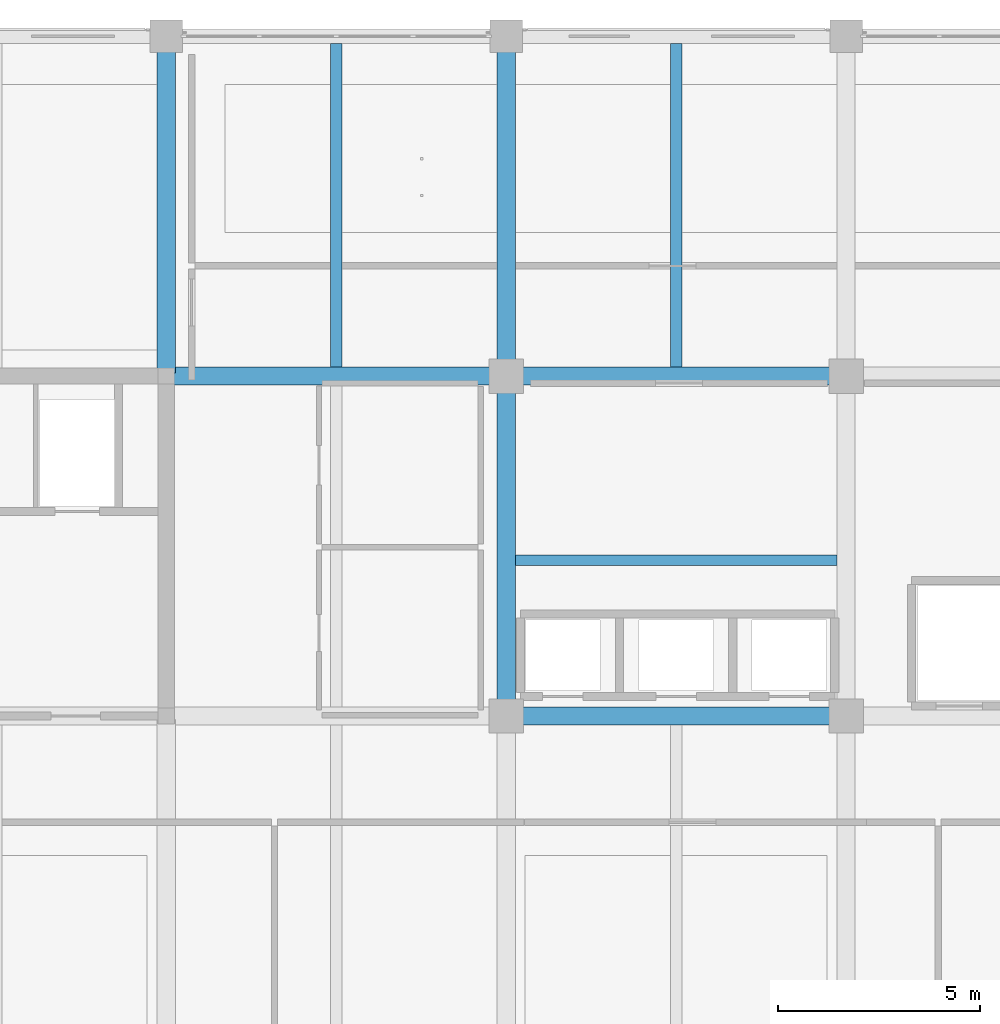
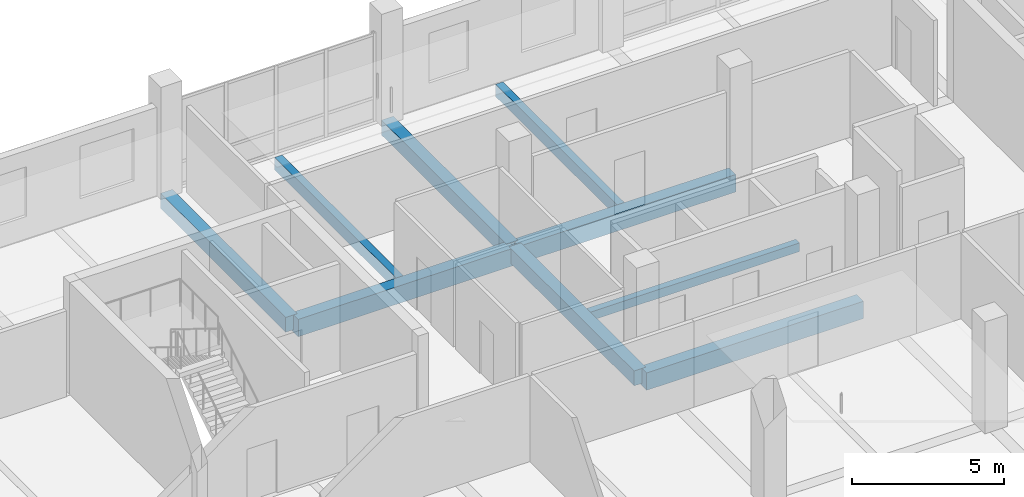
# One storey, part 5 of 36: 9 beams.
"""IFC4 building model written with IfcOpenShell, lengths in metres."""

from ifc_helpers import new_model, si_unit, direction, frame, origin, origin_2d, place, context, subcontext, project, spatial, rectangle, extrude, material, material_profile, profile_set, type_object, element, save


model = new_model("IFC4")

# Units and contexts
model_context = context("Model", 3, precision=1e-05, world=origin(), true_north=direction((0.0, 1.0)))
body_context = subcontext(model_context, "Body", "Model", "MODEL_VIEW")
ifc_project = project(units=[si_unit("LENGTHUNIT", "METRE"), si_unit("AREAUNIT", "SQUARE_METRE"), si_unit("VOLUMEUNIT", "CUBIC_METRE"), si_unit("PLANEANGLEUNIT", "RADIAN"), si_unit("MASSUNIT", "GRAM", prefix="KILO")], contexts=[model_context])

# Site, building, storey
site_placement = place(None, origin())
site = spatial("IfcSite", under=ifc_project, at=site_placement, CompositionType="ELEMENT")
building_placement = place(site_placement, origin())
building = spatial("IfcBuilding", under=site, at=building_placement, Name="Telukmera Botanical Conservatory", CompositionType="ELEMENT")
storey_placement = place(building_placement, frame((0.0, 0.0, 33.0)))
storey = spatial("IfcBuildingStorey", under=building, at=storey_placement, Name="L07", CompositionType="ELEMENT", Elevation=33.0)

# Beams
ifc_material_1 = material(Name="Concrete C40/50", Category="concrete")
ifc_material_profile_1 = material_profile(ifc_material_1, rectangle(XDim=0.449951171875, YDim=0.699951171875, at=origin_2d()), Name="RC 450x700")
ifc_profile_set_1 = profile_set([ifc_material_profile_1], Name="Concrete C40/50")
beam_type_1 = type_object("IfcBeamType", Name="Beam_B15", PredefinedType="BEAM", material=ifc_profile_set_1)
for number, where, z_axis, x_axis, name in (
    (1, (75.679931640625, 26.0, -0.35009765625), (1.0, 0.0, 0.0), (0.0, 1.0, 0.0), "Tower Grid Beam L07"),
    (2, (67.280029296875, 34.39990234375, -0.35009765625), (1.0, 0.0, 0.0), (0.0, 1.0, 0.0), "Tower Grid Beam L07"),
    (3, (75.679931640625, 34.39990234375, -0.35009765625), (1.0, 0.0, 0.0), (0.0, 1.0, 0.0), "Tower Grid Beam L07"),
):
    element("IfcBeam", number, at=place(storey_placement, frame(where, z_axis=z_axis, x_axis=x_axis)), inside=storey, type_object=beam_type_1, Name=name, PredefinedType="BEAM", context=body_context, shape_type="SweptSolid", body=[
        extrude(rectangle(XDim=0.449951171875, YDim=0.699951171875, at=origin_2d()), origin(), (0.0, 0.0, 1.0), 8.239990234375),
    ])
ifc_material_profile_2 = material_profile(ifc_material_1, rectangle(XDim=0.449951171875, YDim=0.60009765625, at=origin_2d()), Name="RC 450x600")
ifc_profile_set_2 = profile_set([ifc_material_profile_2], Name="Concrete C40/50")
beam_type_2 = type_object("IfcBeamType", Name="Beam_B17", PredefinedType="BEAM", material=ifc_profile_set_2)
for number, where, z_axis, x_axis, name in (
    (4, (67.199951171875, 34.47998046875, -0.300048828125), (0.0, 1.0, 0.0), (-1.0, 0.0, 0.0), "Tower Transverse Beam L07"),
    (5, (75.60009765625, 26.080078125, -0.300048828125), (0.0, 1.0, 0.0), (-1.0, 0.0, 0.0), "Tower Transverse Beam L07"),
    (6, (75.60009765625, 34.47998046875, -0.300048828125), (0.0, 1.0, 0.0), (-1.0, 0.0, 0.0), "Tower Transverse Beam L07"),
):
    element("IfcBeam", number, at=place(storey_placement, frame(where, z_axis=z_axis, x_axis=x_axis)), inside=storey, type_object=beam_type_2, Name=name, PredefinedType="BEAM", context=body_context, shape_type="SweptSolid", body=[
        extrude(rectangle(XDim=0.449951171875, YDim=0.60009765625, at=origin_2d()), origin(), (0.0, 0.0, 1.0), 8.239990234375),
    ])
ifc_material_profile_3 = material_profile(ifc_material_1, rectangle(XDim=0.280029296875, YDim=0.5, at=origin_2d()), Name="RC 280x500")
ifc_profile_set_3 = profile_set([ifc_material_profile_3], Name="Concrete C40/50")
beam_type_3 = type_object("IfcBeamType", Name="Beam_B26", PredefinedType="JOIST", material=ifc_profile_set_3)
for number, where, z_axis, x_axis, name in (
    (7, (71.39990234375, 34.625, -0.25), (0.0, 1.0, 0.0), (-1.0, 0.0, 0.0), "Tower Secondary Floor Joist L07"),
    (8, (79.800048828125, 34.625, -0.25), (0.0, 1.0, 0.0), (-1.0, 0.0, 0.0), "Tower Secondary Floor Joist L07"),
):
    element("IfcBeam", number, at=place(storey_placement, frame(where, z_axis=z_axis, x_axis=x_axis)), inside=storey, type_object=beam_type_3, Name=name, PredefinedType="JOIST", context=body_context, shape_type="SweptSolid", body=[
        extrude(rectangle(XDim=0.280029296875, YDim=0.5, at=origin_2d()), origin(), (0.0, 0.0, 1.0), 8.0),
    ])
ifc_material_2 = material(Name="Precast concrete C40/50", Category="concrete")
ifc_material_profile_4 = material_profile(ifc_material_2, rectangle(XDim=0.25, YDim=0.35009765625, at=origin_2d()), Name="PC 250x350")
ifc_profile_set_4 = profile_set([ifc_material_profile_4], Name="Precast concrete C40/50")
beam_type_4 = type_object("IfcBeamType", Name="Beam_LN2", PredefinedType="LINTEL", material=ifc_profile_set_4)
beam_placement = place(storey_placement, frame((75.824951171875, 29.85009765625, -0.175048828125), z_axis=(1.0, 0.0, 0.0), x_axis=(0.0, 1.0, 0.0)))
element("IfcBeam", 9, at=beam_placement, inside=storey, type_object=beam_type_4, Name="Tower Lift Bank Header Lintel L07", PredefinedType="LINTEL", context=body_context, shape_type="SweptSolid", body=[
    extrude(rectangle(XDim=0.25, YDim=0.35009765625, at=origin_2d()), origin(), (0.0, 0.0, 1.0), 7.949951171875),
])

save(model, "model.ifc")
